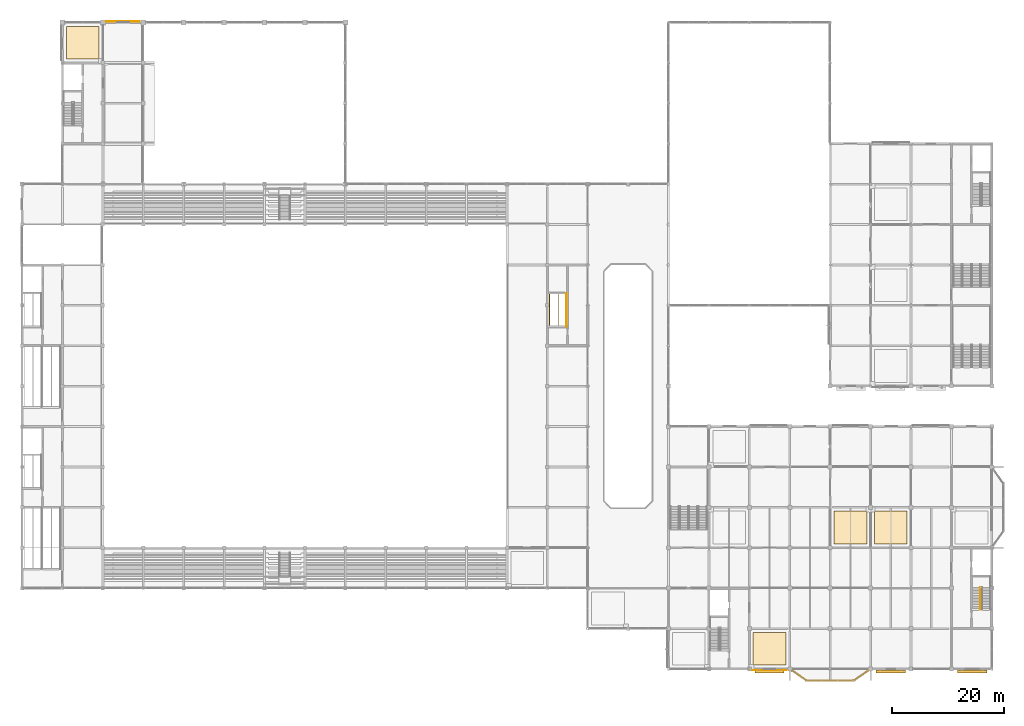
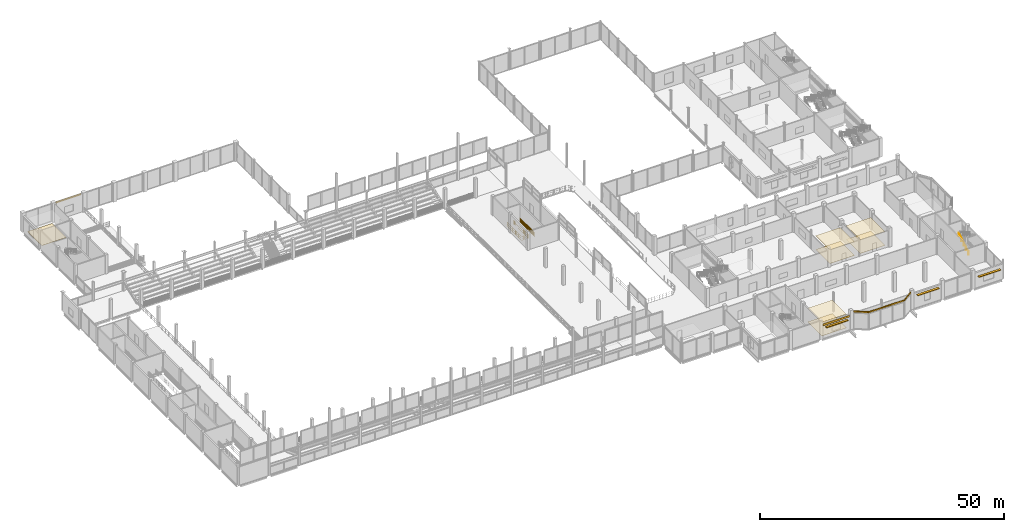
# One storey, part 115 of 120: 12 coverings, 3 railings, 3 shading devices.
"""IFC4 building model written with IfcOpenShell, lengths in metres."""

import ifcopenshell
import ifcopenshell.guid

model = None  # the IFC model being written
_history = None  # IfcOwnerHistory: only IFC2X3 demands one
_inside = {}  # id of a spatial element -> (the spatial element, [elements in it])
_under = {}  # id of a project, library or spatial element -> (it, [spatial elements below it])
_declared = {}  # id of a project -> (the project, [libraries it declares])
_typed = {}  # id of a type object -> (the type object, [elements of that type])
_made_of = {}  # id of a material, layer set ... -> (it, [elements and type objects made of it])


def new_model(schema):
    """Start an empty IFC model of exactly this schema.

    Asked for "IFC4X3", IfcOpenShell would pick the latest addendum, in which some entities
    have other attributes; the version numbers below select the first issue.
    IFC2X3 requires an IfcOwnerHistory on every rooted entity: one is made here for all.
    """
    global model, _history
    if schema == "IFC4X3":
        model = ifcopenshell.file(schema_version=(4, 3, 0, 0))
    else:
        model = ifcopenshell.file(schema=schema)
    _inside.clear()
    _under.clear()
    _declared.clear()
    _typed.clear()
    _made_of.clear()
    _history = None
    if model.schema == "IFC2X3":
        org = make("IfcOrganization", Name="unknown")
        user = make(
            "IfcPersonAndOrganization",
            ThePerson=make("IfcPerson", FamilyName="unknown"),
            TheOrganization=org,
        )
        app = make(
            "IfcApplication",
            ApplicationDeveloper=org,
            Version="unknown",
            ApplicationFullName="unknown",
            ApplicationIdentifier="unknown",
        )
        _history = make(
            "IfcOwnerHistory",
            OwningUser=user,
            OwningApplication=app,
            ChangeAction="ADDED",
            CreationDate=0,
        )
    return model


def make(cls, **values):
    """One entity of the class cls with the attributes given. An attribute that is None is left unset."""
    return model.create_entity(
        cls, **{name: value for name, value in values.items() if value is not None}
    )


def rooted(cls, **values):
    """An entity with a GlobalId (a new one), such as an element, a storey or a relation."""
    return make(cls, GlobalId=ifcopenshell.guid.new(), OwnerHistory=_history, **values)


def si_unit(unit_type, name, prefix=None):
    """IfcSIUnit, for example si_unit("LENGTHUNIT", "METRE", prefix="MILLI")."""
    return make("IfcSIUnit", UnitType=unit_type, Prefix=prefix, Name=name)


def assignment(units):
    """IfcUnitAssignment: the units of a project."""
    return None if units is None else make("IfcUnitAssignment", Units=units)


def point(xyz):
    """IfcCartesianPoint."""
    return None if xyz is None else make("IfcCartesianPoint", Coordinates=xyz)


def direction(xyz):
    """IfcDirection."""
    return None if xyz is None else make("IfcDirection", DirectionRatios=xyz)


def frame(location, z_axis=None, x_axis=None):
    """IfcAxis2Placement3D, a coordinate frame: its origin and axes. An axis left out is left unset."""
    return make(
        "IfcAxis2Placement3D",
        Location=point(location),
        Axis=direction(z_axis),
        RefDirection=direction(x_axis),
    )


def frame_2d(location, x_axis=None):
    """IfcAxis2Placement2D, a coordinate frame in the plane: its origin and x axis."""
    return make(
        "IfcAxis2Placement2D", Location=point(location), RefDirection=direction(x_axis)
    )


def origin():
    """The frame at (0, 0, 0) with its axes left unset."""
    return frame((0.0, 0.0, 0.0))


def origin_2d():
    """The frame at (0, 0) in the plane with its x axis left unset."""
    return frame_2d((0.0, 0.0))


def place(relative_to, where):
    """IfcLocalPlacement: puts the frame where relative to a parent placement (None: the world)."""
    return make(
        "IfcLocalPlacement", PlacementRelTo=relative_to, RelativePlacement=where
    )


def context(
    kind, dimensions, precision=None, world=None, true_north=None, identifier=None
):
    """IfcGeometricRepresentationContext, for example the 3D "Model" context."""
    return make(
        "IfcGeometricRepresentationContext",
        ContextIdentifier=identifier,
        ContextType=kind,
        CoordinateSpaceDimension=dimensions,
        Precision=precision,
        WorldCoordinateSystem=world,
        TrueNorth=true_north,
    )


def subcontext(parent, identifier, kind, view, scale=None):
    """IfcGeometricRepresentationSubContext, for example "Body" below "Model"."""
    return make(
        "IfcGeometricRepresentationSubContext",
        ContextIdentifier=identifier,
        ContextType=kind,
        ParentContext=parent,
        TargetScale=scale,
        TargetView=view,
    )


def project(units=None, contexts=None):
    """IfcProject with its units and contexts."""
    return rooted(
        "IfcProject",
        Name="project",
        RepresentationContexts=contexts,
        UnitsInContext=assignment(units),
    )


def spatial(cls, under=None, at=None, **own):
    """A site, building, storey or space (cls), placed at a placement, below another one or the project."""
    s = rooted(cls, ObjectPlacement=at, **own)
    if under is not None:
        _under.setdefault(under.id(), (under, []))[1].append(s)
    return s


def polyline(points):
    """IfcPolyline through the points."""
    return make("IfcPolyline", Points=[point(p) for p in points])


def profile(cls, at=None, kind="AREA", **sizes):
    """A parametric profile (cls). Its sizes go by their IFC names, for example OverallWidth=200.0."""
    return make(cls, ProfileType=kind, Position=at, **sizes)


def rectangle(**sizes):
    """IfcRectangleProfileDef."""
    return profile("IfcRectangleProfileDef", **sizes)


def circle(**sizes):
    """IfcCircleProfileDef."""
    return profile("IfcCircleProfileDef", **sizes)


def outline(outer, holes=None, kind="AREA"):
    """IfcArbitraryClosedProfileDef: a profile drawn as a closed curve; with holes, ...WithVoids."""
    if holes is None:
        return make("IfcArbitraryClosedProfileDef", ProfileType=kind, OuterCurve=outer)
    return make(
        "IfcArbitraryProfileDefWithVoids",
        ProfileType=kind,
        OuterCurve=outer,
        InnerCurves=holes,
    )


def extrude(swept, where, along, depth):
    """IfcExtrudedAreaSolid: the profile swept, set in the frame where, extruded along a direction by depth."""
    return make(
        "IfcExtrudedAreaSolid",
        SweptArea=swept,
        Position=where,
        ExtrudedDirection=direction(along),
        Depth=depth,
    )


def shape(context_of_items, identifier, shape_type, items):
    """IfcShapeRepresentation: the items that make up one representation, for example the "Body"."""
    return make(
        "IfcShapeRepresentation",
        ContextOfItems=context_of_items,
        RepresentationIdentifier=identifier,
        RepresentationType=shape_type,
        Items=items,
    )


def material(Name=None, Category=None):
    """IfcMaterial."""
    return make("IfcMaterial", Name=Name, Category=Category)


def layer(
    of_material, thickness, ventilated=None, Name=None, Category=None, Priority=None
):
    """IfcMaterialLayer: one layer of a wall or slab, of a material (None: an air gap)."""
    return make(
        "IfcMaterialLayer",
        Material=of_material,
        LayerThickness=thickness,
        IsVentilated=ventilated,
        Name=Name,
        Category=Category,
        Priority=Priority,
    )


def layer_set(layers, Name=None):
    """IfcMaterialLayerSet."""
    return make("IfcMaterialLayerSet", MaterialLayers=layers, LayerSetName=Name)


def made_of(thing, what):
    """Note that an element or type object is made of a material, layer set ...; save() writes the relation."""
    if what is not None:
        _made_of.setdefault(what.id(), (what, []))[1].append(thing)
    return thing


def type_object(cls, material=None, **own):
    """A type object (cls), such as IfcWallType, which elements share."""
    return made_of(rooted(cls, **own), material)


def element(
    cls,
    number,
    at=None,
    inside=None,
    cuts=None,
    type_object=None,
    material=None,
    context=None,
    identifier="Body",
    shape_type=None,
    held_by="IfcProductDefinitionShape",
    body=None,
    shapes=None,
    **own,
):
    """One element of the class cls, such as IfcWall. Its Tag is "e" and its number.

    at: its placement. inside: the storey or other place that contains it. cuts: it is an
    opening in that element (IfcRelVoidsElement). A single representation is given by context,
    identifier, shape_type and body (its items); several are given by shapes. held_by: the class
    of the entity that holds the representations. save() writes the other relations.
    """
    e = rooted(cls, Tag="e%d" % number, ObjectPlacement=at, **own)
    if body is not None:
        shapes = [shape(context, identifier, shape_type, body)]
    if shapes is not None:
        e.Representation = make(held_by, Representations=shapes)
    if inside is not None:
        _inside.setdefault(inside.id(), (inside, []))[1].append(e)
    if cuts is not None:
        rooted(
            "IfcRelVoidsElement", RelatingBuildingElement=cuts, RelatedOpeningElement=e
        )
    if type_object is not None:
        _typed.setdefault(type_object.id(), (type_object, []))[1].append(e)
    return made_of(e, material)


def aggregate(whole, parts):
    """IfcRelAggregates: a whole, such as a stair, and the parts it consists of."""
    return rooted("IfcRelAggregates", RelatingObject=whole, RelatedObjects=parts)


def save(model, path):
    """Write the relations noted so far, then the file.

    IfcRelAggregates (storeys below a building ...), IfcRelContainedInSpatialStructure (elements
    in a storey), IfcRelDefinesByType, IfcRelAssociatesMaterial and IfcRelDeclares: one each for
    every whole, place, type object, material and project.
    """
    for whole, parts in _under.values():
        aggregate(whole, parts)
    for where, things in _inside.values():
        rooted(
            "IfcRelContainedInSpatialStructure",
            RelatedElements=things,
            RelatingStructure=where,
        )
    for kind, things in _typed.values():
        rooted("IfcRelDefinesByType", RelatedObjects=things, RelatingType=kind)
    for what, things in _made_of.values():
        rooted("IfcRelAssociatesMaterial", RelatedObjects=things, RelatingMaterial=what)
    for by, libraries in _declared.values():
        rooted("IfcRelDeclares", RelatingContext=by, RelatedDefinitions=libraries)
    model.write(path)


model = new_model("IFC4")

# Units and contexts
model_context = context("Model", 3, precision=1e-05, world=origin(), true_north=direction((0.0, 1.0)))
body_context = subcontext(model_context, "Body", "Model", "MODEL_VIEW")
ifc_project = project(units=[si_unit("LENGTHUNIT", "METRE"), si_unit("AREAUNIT", "SQUARE_METRE"), si_unit("VOLUMEUNIT", "CUBIC_METRE"), si_unit("PLANEANGLEUNIT", "RADIAN"), si_unit("MASSUNIT", "GRAM", prefix="KILO")], contexts=[model_context])

# Site, building, storey
site_placement = place(None, origin())
site = spatial("IfcSite", under=ifc_project, at=site_placement, CompositionType="ELEMENT")
building_placement = place(site_placement, origin())
building = spatial("IfcBuilding", under=site, at=building_placement, Name="Vesperath Aquatics Centre", CompositionType="ELEMENT")
storey_placement = place(building_placement, frame((0.0, 0.0, 10.199951171875)))
storey = spatial("IfcBuildingStorey", under=building, at=storey_placement, Name="L02", CompositionType="ELEMENT", Elevation=10.199951171875)

# Coverings
ifc_material_1 = material(Name="Teal and ochre glazed ceramic majolica frieze", Category="ceramic")
ifc_layer_1 = layer(ifc_material_1, 0.0400390625)
ifc_layer_set_1 = layer_set([ifc_layer_1], Name="Teal and ochre glazed ceramic majolica frieze")
covering_type_1 = type_object("IfcCoveringType", Name="CV-CLD01", PredefinedType="CLADDING", material=ifc_layer_set_1)
covering_1_placement = place(storey_placement, frame((130.10009765625, -0.199951171875, 3.2099609375), z_axis=(0.0, 0.0, 1.0), x_axis=(1.0, 0.0, 0.0)))
element("IfcCovering", 1, at=covering_1_placement, inside=storey, type_object=covering_type_1, Name="Majolica Ceramic Frieze CLD1 L02_S_18_00", PredefinedType="CLADDING", context=body_context, shape_type="SweptSolid", body=[
    extrude(rectangle(XDim=6.199951171875, YDim=0.0400390625, at=frame_2d((3.10009765625, 0.0))), origin(), (0.0, 0.0, 1.0), 0.469970703125),
])
covering_2_placement = place(storey_placement, frame((15.0, 115.39990234375, 4.010009765625), z_axis=(0.0, 0.0, 1.0), x_axis=(1.0, 0.0, 0.0)))
element("IfcCovering", 2, at=covering_2_placement, inside=storey, type_object=covering_type_1, Name="Majolica Ceramic Frieze CLD1 L02_N_02_16", PredefinedType="CLADDING", context=body_context, shape_type="SweptSolid", body=[
    extrude(rectangle(XDim=6.0, YDim=0.0400390625, at=frame_2d((3.0, 0.0))), origin(), (0.0, 0.0, 1.0), 0.469970703125),
])
covering_3_placement = place(storey_placement, frame((137.22998046875, -0.301025390625, 4.14013671875), z_axis=(0.0, 0.0, 1.0), x_axis=(0.819228264453, -0.57346756728, 0.0)))
element("IfcCovering", 3, at=covering_3_placement, inside=storey, type_object=covering_type_1, Name="South Bow Oriel Majolica Frieze CLD1 L02-W", PredefinedType="CLADDING", context=body_context, shape_type="SweptSolid", body=[
    extrude(rectangle(XDim=3.13720703125, YDim=0.050048828125, at=frame_2d((1.568603515625, 0.0))), origin(), (0.0, 0.0, 1.0), 0.3798828125),
])
covering_4_placement = place(storey_placement, frame((139.800048828125, -2.10009765625, 4.14013671875), z_axis=(0.0, 0.0, 1.0), x_axis=(1.0, 0.0, 0.0)))
element("IfcCovering", 4, at=covering_4_placement, inside=storey, type_object=covering_type_1, Name="South Bow Oriel Majolica Frieze CLD1 L02-C", PredefinedType="CLADDING", context=body_context, shape_type="SweptSolid", body=[
    extrude(rectangle(XDim=8.39990234375, YDim=0.050048828125, at=frame_2d((4.199951171875, 0.0))), origin(), (0.0, 0.0, 1.0), 0.3798828125),
])
covering_5_placement = place(storey_placement, frame((148.199951171875, -2.10009765625, 4.14013671875), z_axis=(0.0, 0.0, 1.0), x_axis=(0.819228264453, 0.57346756728, 0.0)))
element("IfcCovering", 5, at=covering_5_placement, inside=storey, type_object=covering_type_1, Name="South Bow Oriel Majolica Frieze CLD1 L02-E", PredefinedType="CLADDING", context=body_context, shape_type="SweptSolid", body=[
    extrude(rectangle(XDim=3.13720703125, YDim=0.050048828125, at=frame_2d((1.568603515625, 0.0))), origin(), (0.0, 0.0, 1.0), 0.3798828125),
])
ifc_material_2 = material(Name="Perforated moisture-resistant acoustic mineral-fibre ceiling", Category="gypsum")
ifc_layer_2 = layer(ifc_material_2, 0.044921875)
ifc_layer_set_2 = layer_set([ifc_layer_2], Name="Perforated moisture-resistant acoustic mineral-fibre ceiling")
covering_type_2 = type_object("IfcCoveringType", Name="CV-CLG01", PredefinedType="CEILING", material=ifc_layer_set_2)
covering_6_placement = place(storey_placement, frame((0.0, 0.0, 3.425048828125)))
element("IfcCovering", 6, at=covering_6_placement, inside=storey, type_object=covering_type_2, Name="Acoustic Suspended Ceiling CLG1 L02_WEIGHTS", PredefinedType="CEILING", context=body_context, shape_type="SweptSolid", body=[
    extrude(outline(polyline([(130.280029296875, 0.679931640625), (136.1201171875, 0.679931640625), (136.1201171875, 6.52001953125), (130.280029296875, 6.52001953125), (130.280029296875, 0.679931640625)])), origin(), (0.0, 0.0, 1.0), 0.044921875),
])
covering_7_placement = place(storey_placement, frame((0.0, 0.0, 3.425048828125)))
element("IfcCovering", 7, at=covering_7_placement, inside=storey, type_object=covering_type_2, Name="Acoustic Suspended Ceiling CLG1 L02_MWC", PredefinedType="CEILING", context=body_context, shape_type="SweptSolid", body=[
    extrude(outline(polyline([(144.679931640625, 22.280029296875), (150.52001953125, 22.280029296875), (150.52001953125, 28.1201171875), (144.679931640625, 28.1201171875), (144.679931640625, 22.280029296875)])), origin(), (0.0, 0.0, 1.0), 0.044921875),
])
covering_8_placement = place(storey_placement, frame((0.0, 0.0, 3.425048828125)))
element("IfcCovering", 8, at=covering_8_placement, inside=storey, type_object=covering_type_2, Name="Acoustic Suspended Ceiling CLG1 L02_FWC", PredefinedType="CEILING", context=body_context, shape_type="SweptSolid", body=[
    extrude(outline(polyline([(151.8798828125, 22.280029296875), (157.719970703125, 22.280029296875), (157.719970703125, 28.1201171875), (151.8798828125, 28.1201171875), (151.8798828125, 22.280029296875)])), origin(), (0.0, 0.0, 1.0), 0.044921875),
])
ifc_material_3 = material(Name="Slip-resistant vitrified ceramic and terrazzo flooring", Category="ceramic")
ifc_layer_3 = layer(ifc_material_3, 0.030029296875)
ifc_layer_set_3 = layer_set([ifc_layer_3], Name="Slip-resistant vitrified ceramic and terrazzo flooring")
covering_type_3 = type_object("IfcCoveringType", Name="CV-FLR01", PredefinedType="FLOORING", material=ifc_layer_set_3)
covering_9_placement = place(storey_placement, origin())
element("IfcCovering", 9, at=covering_9_placement, inside=storey, type_object=covering_type_3, Name="Slip-Resistant Floor Finish FLR1 L02_DIVE_VID", PredefinedType="FLOORING", context=body_context, shape_type="SweptSolid", body=[
    extrude(outline(polyline([(7.8798828125, 108.679931640625), (13.719970703125, 108.679931640625), (13.719970703125, 114.52001953125), (7.8798828125, 114.52001953125), (7.8798828125, 108.679931640625)])), origin(), (0.0, 0.0, 1.0), 0.030029296875),
])
covering_10_placement = place(storey_placement, origin())
element("IfcCovering", 10, at=covering_10_placement, inside=storey, type_object=covering_type_3, Name="Slip-Resistant Floor Finish FLR1 L02_WEIGHTS", PredefinedType="FLOORING", context=body_context, shape_type="SweptSolid", body=[
    extrude(outline(polyline([(130.280029296875, 0.679931640625), (136.1201171875, 0.679931640625), (136.1201171875, 6.52001953125), (130.280029296875, 6.52001953125), (130.280029296875, 0.679931640625)])), origin(), (0.0, 0.0, 1.0), 0.030029296875),
])
covering_11_placement = place(storey_placement, origin())
element("IfcCovering", 11, at=covering_11_placement, inside=storey, type_object=covering_type_3, Name="Slip-Resistant Floor Finish FLR1 L02_MWC", PredefinedType="FLOORING", context=body_context, shape_type="SweptSolid", body=[
    extrude(outline(polyline([(144.679931640625, 22.280029296875), (150.52001953125, 22.280029296875), (150.52001953125, 28.1201171875), (144.679931640625, 28.1201171875), (144.679931640625, 22.280029296875)])), origin(), (0.0, 0.0, 1.0), 0.030029296875),
])
covering_12_placement = place(storey_placement, origin())
element("IfcCovering", 12, at=covering_12_placement, inside=storey, type_object=covering_type_3, Name="Slip-Resistant Floor Finish FLR1 L02_FWC", PredefinedType="FLOORING", context=body_context, shape_type="SweptSolid", body=[
    extrude(outline(polyline([(151.8798828125, 22.280029296875), (157.719970703125, 22.280029296875), (157.719970703125, 28.1201171875), (151.8798828125, 28.1201171875), (151.8798828125, 22.280029296875)])), origin(), (0.0, 0.0, 1.0), 0.030029296875),
])

# Railings
ifc_material_4 = material(Name="Powder-coated galvanized steel safety guard", Category="steel")
railing_type_1 = type_object("IfcRailingType", Name="RL-GRD01", PredefinedType="GUARDRAIL", material=ifc_material_4)
railing_1_placement = place(storey_placement, frame((93.97998046875, 66.93994140625, 0.0)))
element("IfcRailing", 13, at=railing_1_placement, inside=storey, type_object=railing_type_1, Name="Stair ST8 Top Well Guard GR02 L02", PredefinedType="GUARDRAIL", context=body_context, shape_type="SweptSolid", body=[
    extrude(circle(Radius=0.02392578125, at=origin_2d()), frame((0.0, 0.0, 1.0859375), z_axis=(0.0, -1.0, 0.0), x_axis=(1.0, 0.0, 0.0)), (0.0, 0.0, 1.0), 5.9599609375),
    extrude(circle(Radius=0.01611328125, at=origin_2d()), frame((0.0, 0.0, 0.10009765625), z_axis=(0.0, -1.0, 0.0), x_axis=(1.0, 0.0, 0.0)), (0.0, 0.0, 1.0), 5.9599609375),
    extrude(circle(Radius=0.01611328125, at=origin_2d()), frame((0.0, 0.0, 0.610595703125), z_axis=(0.0, -1.0, 0.0), x_axis=(1.0, 0.0, 0.0)), (0.0, 0.0, 1.0), 5.9599609375),
    extrude(circle(Radius=0.009033203125, at=origin_2d()), frame((0.0, -0.1083984375, 0.10009765625)), (0.0, 0.0, 1.0), 0.9619140625),
    extrude(circle(Radius=0.009033203125, at=origin_2d()), frame((0.0, -0.3251953125, 0.10009765625)), (0.0, 0.0, 1.0), 0.9619140625),
    extrude(circle(Radius=0.009033203125, at=origin_2d()), frame((0.0, -0.541748046875, 0.10009765625)), (0.0, 0.0, 1.0), 0.9619140625),
    extrude(circle(Radius=0.009033203125, at=origin_2d()), frame((0.0, -0.758544921875, 0.10009765625)), (0.0, 0.0, 1.0), 0.9619140625),
    extrude(circle(Radius=0.009033203125, at=origin_2d()), frame((0.0, -0.975341796875, 0.10009765625)), (0.0, 0.0, 1.0), 0.9619140625),
    extrude(circle(Radius=0.009033203125, at=origin_2d()), frame((0.0, -1.19189453125, 0.10009765625)), (0.0, 0.0, 1.0), 0.9619140625),
    extrude(circle(Radius=0.009033203125, at=origin_2d()), frame((0.0, -1.40869140625, 0.10009765625)), (0.0, 0.0, 1.0), 0.9619140625),
    extrude(circle(Radius=0.009033203125, at=origin_2d()), frame((0.0, -1.62548828125, 0.10009765625)), (0.0, 0.0, 1.0), 0.9619140625),
    extrude(circle(Radius=0.009033203125, at=origin_2d()), frame((0.0, -1.84228515625, 0.10009765625)), (0.0, 0.0, 1.0), 0.9619140625),
    extrude(circle(Radius=0.009033203125, at=origin_2d()), frame((0.0, -2.058837890625, 0.10009765625)), (0.0, 0.0, 1.0), 0.9619140625),
    extrude(circle(Radius=0.009033203125, at=origin_2d()), frame((0.0, -2.275634765625, 0.10009765625)), (0.0, 0.0, 1.0), 0.9619140625),
    extrude(circle(Radius=0.009033203125, at=origin_2d()), frame((0.0, -2.492431640625, 0.10009765625)), (0.0, 0.0, 1.0), 0.9619140625),
    extrude(circle(Radius=0.009033203125, at=origin_2d()), frame((0.0, -2.708984375, 0.10009765625)), (0.0, 0.0, 1.0), 0.9619140625),
    extrude(circle(Radius=0.009033203125, at=origin_2d()), frame((0.0, -2.92578125, 0.10009765625)), (0.0, 0.0, 1.0), 0.9619140625),
    extrude(circle(Radius=0.009033203125, at=origin_2d()), frame((0.0, -3.142578125, 0.10009765625)), (0.0, 0.0, 1.0), 0.9619140625),
    extrude(circle(Radius=0.009033203125, at=origin_2d()), frame((0.0, -3.359130859375, 0.10009765625)), (0.0, 0.0, 1.0), 0.9619140625),
    extrude(circle(Radius=0.009033203125, at=origin_2d()), frame((0.0, -3.575927734375, 0.10009765625)), (0.0, 0.0, 1.0), 0.9619140625),
    extrude(circle(Radius=0.009033203125, at=origin_2d()), frame((0.0, -3.792724609375, 0.10009765625)), (0.0, 0.0, 1.0), 0.9619140625),
    extrude(circle(Radius=0.009033203125, at=origin_2d()), frame((0.0, -4.009521484375, 0.10009765625)), (0.0, 0.0, 1.0), 0.9619140625),
    extrude(circle(Radius=0.009033203125, at=origin_2d()), frame((0.0, -4.22607421875, 0.10009765625)), (0.0, 0.0, 1.0), 0.9619140625),
    extrude(circle(Radius=0.009033203125, at=origin_2d()), frame((0.0, -4.44287109375, 0.10009765625)), (0.0, 0.0, 1.0), 0.9619140625),
    extrude(circle(Radius=0.009033203125, at=origin_2d()), frame((0.0, -4.65966796875, 0.10009765625)), (0.0, 0.0, 1.0), 0.9619140625),
    extrude(circle(Radius=0.009033203125, at=origin_2d()), frame((0.0, -4.876220703125, 0.10009765625)), (0.0, 0.0, 1.0), 0.9619140625),
    extrude(circle(Radius=0.009033203125, at=origin_2d()), frame((0.0, -5.093017578125, 0.10009765625)), (0.0, 0.0, 1.0), 0.9619140625),
    extrude(circle(Radius=0.009033203125, at=origin_2d()), frame((0.0, -5.309814453125, 0.10009765625)), (0.0, 0.0, 1.0), 0.9619140625),
    extrude(circle(Radius=0.009033203125, at=origin_2d()), frame((0.0, -5.526611328125, 0.10009765625)), (0.0, 0.0, 1.0), 0.9619140625),
    extrude(circle(Radius=0.009033203125, at=origin_2d()), frame((0.0, -5.7431640625, 0.10009765625)), (0.0, 0.0, 1.0), 0.9619140625),
    extrude(circle(Radius=0.02392578125, at=origin_2d()), frame((0.0, -5.9599609375, 1.0859375), z_axis=(1.0, 0.0, 0.0), x_axis=(0.0, 1.0, 0.0)), (0.0, 0.0, 1.0), 1.580078125),
    extrude(circle(Radius=0.01611328125, at=origin_2d()), frame((0.0, -5.9599609375, 0.10009765625), z_axis=(1.0, 0.0, 0.0), x_axis=(0.0, 1.0, 0.0)), (0.0, 0.0, 1.0), 1.580078125),
    extrude(circle(Radius=0.01611328125, at=origin_2d()), frame((0.0, -5.9599609375, 0.610595703125), z_axis=(1.0, 0.0, 0.0), x_axis=(0.0, 1.0, 0.0)), (0.0, 0.0, 1.0), 1.580078125),
    extrude(circle(Radius=0.009033203125, at=origin_2d()), frame((0.105224609375, -5.9599609375, 0.10009765625)), (0.0, 0.0, 1.0), 0.9619140625),
    extrude(circle(Radius=0.009033203125, at=origin_2d()), frame((0.210693359375, -5.9599609375, 0.10009765625)), (0.0, 0.0, 1.0), 0.9619140625),
    extrude(circle(Radius=0.009033203125, at=origin_2d()), frame((0.31591796875, -5.9599609375, 0.10009765625)), (0.0, 0.0, 1.0), 0.9619140625),
    extrude(circle(Radius=0.009033203125, at=origin_2d()), frame((0.42138671875, -5.9599609375, 0.10009765625)), (0.0, 0.0, 1.0), 0.9619140625),
    extrude(circle(Radius=0.009033203125, at=origin_2d()), frame((0.526611328125, -5.9599609375, 0.10009765625)), (0.0, 0.0, 1.0), 0.9619140625),
    extrude(circle(Radius=0.009033203125, at=origin_2d()), frame((0.632080078125, -5.9599609375, 0.10009765625)), (0.0, 0.0, 1.0), 0.9619140625),
    extrude(circle(Radius=0.009033203125, at=origin_2d()), frame((0.7373046875, -5.9599609375, 0.10009765625)), (0.0, 0.0, 1.0), 0.9619140625),
    extrude(circle(Radius=0.009033203125, at=origin_2d()), frame((0.8427734375, -5.9599609375, 0.10009765625)), (0.0, 0.0, 1.0), 0.9619140625),
    extrude(circle(Radius=0.009033203125, at=origin_2d()), frame((0.947998046875, -5.9599609375, 0.10009765625)), (0.0, 0.0, 1.0), 0.9619140625),
    extrude(circle(Radius=0.009033203125, at=origin_2d()), frame((1.053466796875, -5.9599609375, 0.10009765625)), (0.0, 0.0, 1.0), 0.9619140625),
    extrude(circle(Radius=0.009033203125, at=origin_2d()), frame((1.15869140625, -5.9599609375, 0.10009765625)), (0.0, 0.0, 1.0), 0.9619140625),
    extrude(circle(Radius=0.009033203125, at=origin_2d()), frame((1.26416015625, -5.9599609375, 0.10009765625)), (0.0, 0.0, 1.0), 0.9619140625),
    extrude(circle(Radius=0.009033203125, at=origin_2d()), frame((1.369384765625, -5.9599609375, 0.10009765625)), (0.0, 0.0, 1.0), 0.9619140625),
    extrude(circle(Radius=0.009033203125, at=origin_2d()), frame((1.474853515625, -5.9599609375, 0.10009765625)), (0.0, 0.0, 1.0), 0.9619140625),
    extrude(circle(Radius=0.02392578125, at=origin_2d()), frame((1.580078125, -5.9599609375, 1.0859375), z_axis=(0.0, 1.0, 0.0), x_axis=(-1.0, 0.0, 0.0)), (0.0, 0.0, 1.0), 5.9599609375),
    extrude(circle(Radius=0.01611328125, at=origin_2d()), frame((1.580078125, -5.9599609375, 0.10009765625), z_axis=(0.0, 1.0, 0.0), x_axis=(-1.0, 0.0, 0.0)), (0.0, 0.0, 1.0), 5.9599609375),
    extrude(circle(Radius=0.01611328125, at=origin_2d()), frame((1.580078125, -5.9599609375, 0.610595703125), z_axis=(0.0, 1.0, 0.0), x_axis=(-1.0, 0.0, 0.0)), (0.0, 0.0, 1.0), 5.9599609375),
    extrude(circle(Radius=0.009033203125, at=origin_2d()), frame((1.580078125, -5.8515625, 0.10009765625)), (0.0, 0.0, 1.0), 0.9619140625),
    extrude(circle(Radius=0.009033203125, at=origin_2d()), frame((1.580078125, -5.634765625, 0.10009765625)), (0.0, 0.0, 1.0), 0.9619140625),
    extrude(circle(Radius=0.009033203125, at=origin_2d()), frame((1.580078125, -5.418212890625, 0.10009765625)), (0.0, 0.0, 1.0), 0.9619140625),
    extrude(circle(Radius=0.009033203125, at=origin_2d()), frame((1.580078125, -5.201416015625, 0.10009765625)), (0.0, 0.0, 1.0), 0.9619140625),
    extrude(circle(Radius=0.009033203125, at=origin_2d()), frame((1.580078125, -4.984619140625, 0.10009765625)), (0.0, 0.0, 1.0), 0.9619140625),
    extrude(circle(Radius=0.009033203125, at=origin_2d()), frame((1.580078125, -4.76806640625, 0.10009765625)), (0.0, 0.0, 1.0), 0.9619140625),
    extrude(circle(Radius=0.009033203125, at=origin_2d()), frame((1.580078125, -4.55126953125, 0.10009765625)), (0.0, 0.0, 1.0), 0.9619140625),
    extrude(circle(Radius=0.009033203125, at=origin_2d()), frame((1.580078125, -4.33447265625, 0.10009765625)), (0.0, 0.0, 1.0), 0.9619140625),
    extrude(circle(Radius=0.009033203125, at=origin_2d()), frame((1.580078125, -4.11767578125, 0.10009765625)), (0.0, 0.0, 1.0), 0.9619140625),
    extrude(circle(Radius=0.009033203125, at=origin_2d()), frame((1.580078125, -3.901123046875, 0.10009765625)), (0.0, 0.0, 1.0), 0.9619140625),
    extrude(circle(Radius=0.009033203125, at=origin_2d()), frame((1.580078125, -3.684326171875, 0.10009765625)), (0.0, 0.0, 1.0), 0.9619140625),
    extrude(circle(Radius=0.009033203125, at=origin_2d()), frame((1.580078125, -3.467529296875, 0.10009765625)), (0.0, 0.0, 1.0), 0.9619140625),
    extrude(circle(Radius=0.009033203125, at=origin_2d()), frame((1.580078125, -3.2509765625, 0.10009765625)), (0.0, 0.0, 1.0), 0.9619140625),
    extrude(circle(Radius=0.009033203125, at=origin_2d()), frame((1.580078125, -3.0341796875, 0.10009765625)), (0.0, 0.0, 1.0), 0.9619140625),
    extrude(circle(Radius=0.009033203125, at=origin_2d()), frame((1.580078125, -2.8173828125, 0.10009765625)), (0.0, 0.0, 1.0), 0.9619140625),
    extrude(circle(Radius=0.009033203125, at=origin_2d()), frame((1.580078125, -2.600830078125, 0.10009765625)), (0.0, 0.0, 1.0), 0.9619140625),
    extrude(circle(Radius=0.009033203125, at=origin_2d()), frame((1.580078125, -2.384033203125, 0.10009765625)), (0.0, 0.0, 1.0), 0.9619140625),
    extrude(circle(Radius=0.009033203125, at=origin_2d()), frame((1.580078125, -2.167236328125, 0.10009765625)), (0.0, 0.0, 1.0), 0.9619140625),
    extrude(circle(Radius=0.009033203125, at=origin_2d()), frame((1.580078125, -1.950439453125, 0.10009765625)), (0.0, 0.0, 1.0), 0.9619140625),
    extrude(circle(Radius=0.009033203125, at=origin_2d()), frame((1.580078125, -1.73388671875, 0.10009765625)), (0.0, 0.0, 1.0), 0.9619140625),
    extrude(circle(Radius=0.009033203125, at=origin_2d()), frame((1.580078125, -1.51708984375, 0.10009765625)), (0.0, 0.0, 1.0), 0.9619140625),
    extrude(circle(Radius=0.009033203125, at=origin_2d()), frame((1.580078125, -1.30029296875, 0.10009765625)), (0.0, 0.0, 1.0), 0.9619140625),
    extrude(circle(Radius=0.009033203125, at=origin_2d()), frame((1.580078125, -1.083740234375, 0.10009765625)), (0.0, 0.0, 1.0), 0.9619140625),
    extrude(circle(Radius=0.009033203125, at=origin_2d()), frame((1.580078125, -0.866943359375, 0.10009765625)), (0.0, 0.0, 1.0), 0.9619140625),
    extrude(circle(Radius=0.009033203125, at=origin_2d()), frame((1.580078125, -0.650146484375, 0.10009765625)), (0.0, 0.0, 1.0), 0.9619140625),
    extrude(circle(Radius=0.009033203125, at=origin_2d()), frame((1.580078125, -0.433349609375, 0.10009765625)), (0.0, 0.0, 1.0), 0.9619140625),
    extrude(circle(Radius=0.009033203125, at=origin_2d()), frame((1.580078125, -0.216796875, 0.10009765625)), (0.0, 0.0, 1.0), 0.9619140625),
    extrude(circle(Radius=0.02197265625, at=origin_2d()), origin(), (0.0, 0.0, 1.0), 1.0859375),
    extrude(circle(Radius=0.02197265625, at=origin_2d()), frame((0.0, -1.19189453125, 0.0)), (0.0, 0.0, 1.0), 1.0859375),
    extrude(circle(Radius=0.02197265625, at=origin_2d()), frame((0.0, -2.384033203125, 0.0)), (0.0, 0.0, 1.0), 1.0859375),
    extrude(circle(Radius=0.02197265625, at=origin_2d()), frame((0.0, -3.575927734375, 0.0)), (0.0, 0.0, 1.0), 1.0859375),
    extrude(circle(Radius=0.02197265625, at=origin_2d()), frame((0.0, -4.76806640625, 0.0)), (0.0, 0.0, 1.0), 1.0859375),
    extrude(circle(Radius=0.02197265625, at=origin_2d()), frame((0.0, -5.9599609375, 0.0)), (0.0, 0.0, 1.0), 1.0859375),
    extrude(circle(Radius=0.02197265625, at=origin_2d()), frame((0.7900390625, -5.9599609375, 0.0)), (0.0, 0.0, 1.0), 1.0859375),
    extrude(circle(Radius=0.02197265625, at=origin_2d()), frame((1.580078125, -5.9599609375, 0.0)), (0.0, 0.0, 1.0), 1.0859375),
    extrude(circle(Radius=0.02197265625, at=origin_2d()), frame((1.580078125, -4.76806640625, 0.0)), (0.0, 0.0, 1.0), 1.0859375),
    extrude(circle(Radius=0.02197265625, at=origin_2d()), frame((1.580078125, -3.575927734375, 0.0)), (0.0, 0.0, 1.0), 1.0859375),
    extrude(circle(Radius=0.02197265625, at=origin_2d()), frame((1.580078125, -2.384033203125, 0.0)), (0.0, 0.0, 1.0), 1.0859375),
    extrude(circle(Radius=0.02197265625, at=origin_2d()), frame((1.580078125, -1.19189453125, 0.0)), (0.0, 0.0, 1.0), 1.0859375),
    extrude(circle(Radius=0.02197265625, at=origin_2d()), frame((1.580078125, 0.0, 0.0)), (0.0, 0.0, 1.0), 1.0859375),
])
railing_2_placement = place(storey_placement, frame((97.02001953125, 60.97998046875, 0.0)))
element("IfcRailing", 14, at=railing_2_placement, inside=storey, type_object=railing_type_1, Name="Stair ST8 Top Side Guard GR02 L02", PredefinedType="GUARDRAIL", context=body_context, shape_type="SweptSolid", body=[
    extrude(circle(Radius=0.02392578125, at=origin_2d()), frame((0.0, 0.0, 1.0859375), z_axis=(0.0, 1.0, 0.0), x_axis=(-1.0, 0.0, 0.0)), (0.0, 0.0, 1.0), 5.9599609375),
    extrude(circle(Radius=0.01611328125, at=origin_2d()), frame((0.0, 0.0, 0.10009765625), z_axis=(0.0, 1.0, 0.0), x_axis=(-1.0, 0.0, 0.0)), (0.0, 0.0, 1.0), 5.9599609375),
    extrude(circle(Radius=0.01611328125, at=origin_2d()), frame((0.0, 0.0, 0.610595703125), z_axis=(0.0, 1.0, 0.0), x_axis=(-1.0, 0.0, 0.0)), (0.0, 0.0, 1.0), 5.9599609375),
    extrude(circle(Radius=0.009033203125, at=origin_2d()), frame((0.0, 0.1083984375, 0.10009765625)), (0.0, 0.0, 1.0), 0.9619140625),
    extrude(circle(Radius=0.009033203125, at=origin_2d()), frame((0.0, 0.3251953125, 0.10009765625)), (0.0, 0.0, 1.0), 0.9619140625),
    extrude(circle(Radius=0.009033203125, at=origin_2d()), frame((0.0, 0.541748046875, 0.10009765625)), (0.0, 0.0, 1.0), 0.9619140625),
    extrude(circle(Radius=0.009033203125, at=origin_2d()), frame((0.0, 0.758544921875, 0.10009765625)), (0.0, 0.0, 1.0), 0.9619140625),
    extrude(circle(Radius=0.009033203125, at=origin_2d()), frame((0.0, 0.975341796875, 0.10009765625)), (0.0, 0.0, 1.0), 0.9619140625),
    extrude(circle(Radius=0.009033203125, at=origin_2d()), frame((0.0, 1.19189453125, 0.10009765625)), (0.0, 0.0, 1.0), 0.9619140625),
    extrude(circle(Radius=0.009033203125, at=origin_2d()), frame((0.0, 1.40869140625, 0.10009765625)), (0.0, 0.0, 1.0), 0.9619140625),
    extrude(circle(Radius=0.009033203125, at=origin_2d()), frame((0.0, 1.62548828125, 0.10009765625)), (0.0, 0.0, 1.0), 0.9619140625),
    extrude(circle(Radius=0.009033203125, at=origin_2d()), frame((0.0, 1.84228515625, 0.10009765625)), (0.0, 0.0, 1.0), 0.9619140625),
    extrude(circle(Radius=0.009033203125, at=origin_2d()), frame((0.0, 2.058837890625, 0.10009765625)), (0.0, 0.0, 1.0), 0.9619140625),
    extrude(circle(Radius=0.009033203125, at=origin_2d()), frame((0.0, 2.275634765625, 0.10009765625)), (0.0, 0.0, 1.0), 0.9619140625),
    extrude(circle(Radius=0.009033203125, at=origin_2d()), frame((0.0, 2.492431640625, 0.10009765625)), (0.0, 0.0, 1.0), 0.9619140625),
    extrude(circle(Radius=0.009033203125, at=origin_2d()), frame((0.0, 2.708984375, 0.10009765625)), (0.0, 0.0, 1.0), 0.9619140625),
    extrude(circle(Radius=0.009033203125, at=origin_2d()), frame((0.0, 2.92578125, 0.10009765625)), (0.0, 0.0, 1.0), 0.9619140625),
    extrude(circle(Radius=0.009033203125, at=origin_2d()), frame((0.0, 3.142578125, 0.10009765625)), (0.0, 0.0, 1.0), 0.9619140625),
    extrude(circle(Radius=0.009033203125, at=origin_2d()), frame((0.0, 3.359130859375, 0.10009765625)), (0.0, 0.0, 1.0), 0.9619140625),
    extrude(circle(Radius=0.009033203125, at=origin_2d()), frame((0.0, 3.575927734375, 0.10009765625)), (0.0, 0.0, 1.0), 0.9619140625),
    extrude(circle(Radius=0.009033203125, at=origin_2d()), frame((0.0, 3.792724609375, 0.10009765625)), (0.0, 0.0, 1.0), 0.9619140625),
    extrude(circle(Radius=0.009033203125, at=origin_2d()), frame((0.0, 4.009521484375, 0.10009765625)), (0.0, 0.0, 1.0), 0.9619140625),
    extrude(circle(Radius=0.009033203125, at=origin_2d()), frame((0.0, 4.22607421875, 0.10009765625)), (0.0, 0.0, 1.0), 0.9619140625),
    extrude(circle(Radius=0.009033203125, at=origin_2d()), frame((0.0, 4.44287109375, 0.10009765625)), (0.0, 0.0, 1.0), 0.9619140625),
    extrude(circle(Radius=0.009033203125, at=origin_2d()), frame((0.0, 4.65966796875, 0.10009765625)), (0.0, 0.0, 1.0), 0.9619140625),
    extrude(circle(Radius=0.009033203125, at=origin_2d()), frame((0.0, 4.876220703125, 0.10009765625)), (0.0, 0.0, 1.0), 0.9619140625),
    extrude(circle(Radius=0.009033203125, at=origin_2d()), frame((0.0, 5.093017578125, 0.10009765625)), (0.0, 0.0, 1.0), 0.9619140625),
    extrude(circle(Radius=0.009033203125, at=origin_2d()), frame((0.0, 5.309814453125, 0.10009765625)), (0.0, 0.0, 1.0), 0.9619140625),
    extrude(circle(Radius=0.009033203125, at=origin_2d()), frame((0.0, 5.526611328125, 0.10009765625)), (0.0, 0.0, 1.0), 0.9619140625),
    extrude(circle(Radius=0.009033203125, at=origin_2d()), frame((0.0, 5.7431640625, 0.10009765625)), (0.0, 0.0, 1.0), 0.9619140625),
    extrude(circle(Radius=0.02197265625, at=origin_2d()), origin(), (0.0, 0.0, 1.0), 1.0859375),
    extrude(circle(Radius=0.02197265625, at=origin_2d()), frame((0.0, 1.19189453125, 0.0)), (0.0, 0.0, 1.0), 1.0859375),
    extrude(circle(Radius=0.02197265625, at=origin_2d()), frame((0.0, 2.384033203125, 0.0)), (0.0, 0.0, 1.0), 1.0859375),
    extrude(circle(Radius=0.02197265625, at=origin_2d()), frame((0.0, 3.575927734375, 0.0)), (0.0, 0.0, 1.0), 1.0859375),
    extrude(circle(Radius=0.02197265625, at=origin_2d()), frame((0.0, 4.76806640625, 0.0)), (0.0, 0.0, 1.0), 1.0859375),
    extrude(circle(Radius=0.02197265625, at=origin_2d()), frame((0.0, 5.9599609375, 0.0)), (0.0, 0.0, 1.0), 1.0859375),
])
ifc_material_5 = material(Name="Brushed stainless steel tubular handrail", Category="steel")
railing_type_2 = type_object("IfcRailingType", Name="RL-HND01", PredefinedType="HANDRAIL", material=ifc_material_5)
railing_3_placement = place(storey_placement, frame((170.75, 10.6201171875, 0.16015625)))
element("IfcRailing", 15, at=railing_3_placement, inside=storey, type_object=railing_type_2, Name="Stair ST6 Flight 1 Handrail HR01 L02", PredefinedType="HANDRAIL", context=body_context, shape_type="SweptSolid", body=[
    extrude(circle(Radius=0.02392578125, at=origin_2d()), frame((0.0, 0.0, 0.8759765625), z_axis=(0.0, 0.868239814368, 0.496144761885), x_axis=(-1.0, 0.0, 0.0)), (0.0, 0.0, 1.0), 4.514892578125),
    extrude(circle(Radius=0.02197265625, at=origin_2d()), origin(), (0.0, 0.0, 1.0), 0.8759765625),
    extrude(circle(Radius=0.02197265625, at=origin_2d()), frame((0.0, 0.97998046875, 0.56005859375)), (0.0, 0.0, 1.0), 0.8759765625),
    extrude(circle(Radius=0.02197265625, at=origin_2d()), frame((0.0, 1.9599609375, 1.1201171875)), (0.0, 0.0, 1.0), 0.8759765625),
    extrude(circle(Radius=0.02197265625, at=origin_2d()), frame((0.0, 2.93994140625, 1.679931640625)), (0.0, 0.0, 1.0), 0.8759765625),
    extrude(circle(Radius=0.02197265625, at=origin_2d()), frame((0.0, 3.919921875, 2.239990234375)), (0.0, 0.0, 1.0), 0.8759765625),
])

# Shading devices
ifc_material_6 = material(Name="Anodised bronze aluminium solar brise-soleil", Category="aluminium")
shading_device_type = type_object("IfcShadingDeviceType", Name="SH-LVR01", PredefinedType="JALOUSIE", material=ifc_material_6)
for number, where, z_axis, x_axis, name in (
    (16, (133.199951171875, -0.455078125, 2.75), (0.0, 0.0, 1.0), (1.0, 0.0, 0.0), "Bronze Solar Brise-Soleil LV01 L02_S_18_00"),
    (17, (154.800048828125, -0.455078125, 3.2001953125), (0.0, 0.0, 1.0), (1.0, 0.0, 0.0), "Bronze Solar Brise-Soleil LV01 L02_S_21_00"),
    (18, (169.3125, -0.465087890625, 2.75), (0.0, 0.0, 1.0), (1.0, 0.0, 0.0), "Bronze Solar Brise-Soleil LV01 L02_S_23_00"),
):
    element("IfcShadingDevice", number, at=place(storey_placement, frame(where, z_axis=z_axis, x_axis=x_axis)), inside=storey, type_object=shading_device_type, Name=name, PredefinedType="JALOUSIE", context=body_context, shape_type="SweptSolid", body=[
        extrude(rectangle(XDim=5.199951171875, YDim=0.550048828125, at=origin_2d()), origin(), (0.0, 0.0, 1.0), 0.139892578125),
    ])

save(model, "model.ifc")
